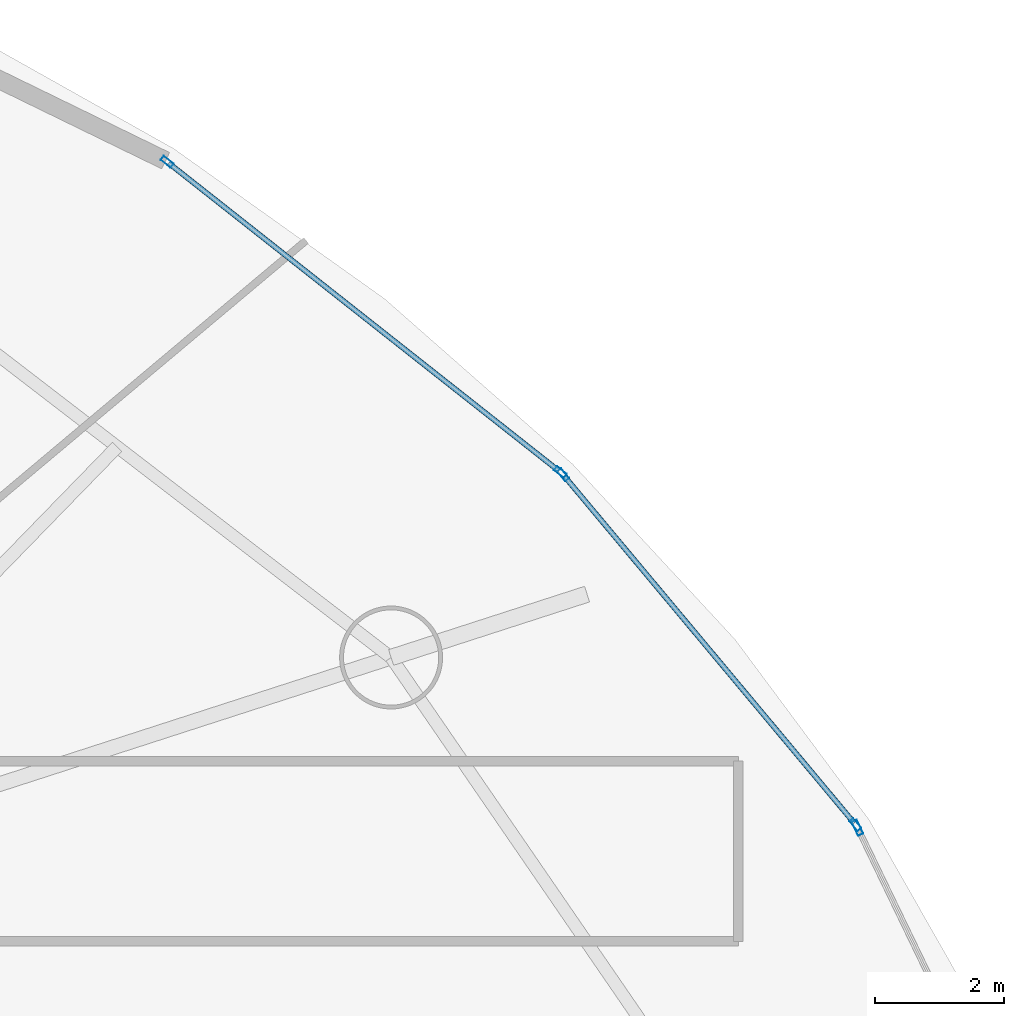
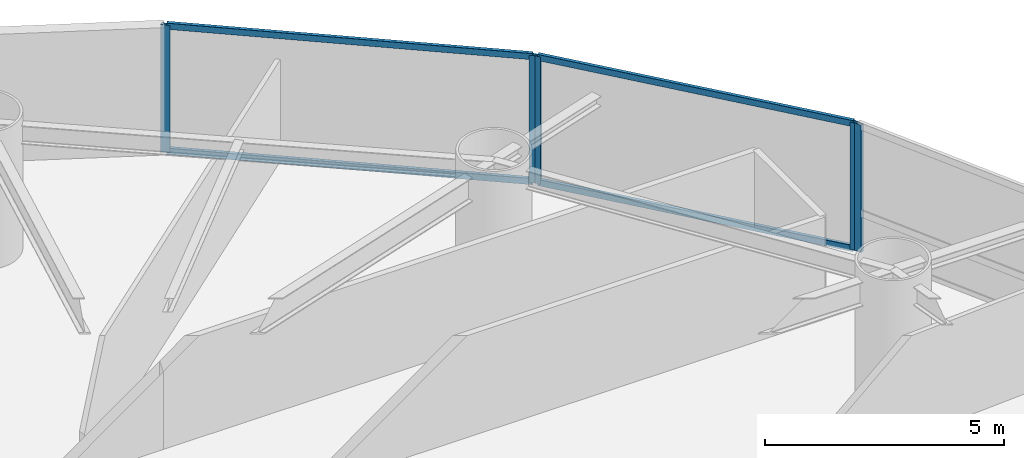
# One storey, part 19 of 25: 9 members, 3 elements without a shape of their own.
"""IFC4 building model written with IfcOpenShell, lengths in metres."""

import ifcopenshell
import ifcopenshell.guid

model = None  # the IFC model being written
_history = None  # IfcOwnerHistory: only IFC2X3 demands one
_inside = {}  # id of a spatial element -> (the spatial element, [elements in it])
_under = {}  # id of a project, library or spatial element -> (it, [spatial elements below it])
_declared = {}  # id of a project -> (the project, [libraries it declares])
_typed = {}  # id of a type object -> (the type object, [elements of that type])
_made_of = {}  # id of a material, layer set ... -> (it, [elements and type objects made of it])


def new_model(schema):
    """Start an empty IFC model of exactly this schema.

    Asked for "IFC4X3", IfcOpenShell would pick the latest addendum, in which some entities
    have other attributes; the version numbers below select the first issue.
    IFC2X3 requires an IfcOwnerHistory on every rooted entity: one is made here for all.
    """
    global model, _history
    if schema == "IFC4X3":
        model = ifcopenshell.file(schema_version=(4, 3, 0, 0))
    else:
        model = ifcopenshell.file(schema=schema)
    _inside.clear()
    _under.clear()
    _declared.clear()
    _typed.clear()
    _made_of.clear()
    _history = None
    if model.schema == "IFC2X3":
        org = make("IfcOrganization", Name="unknown")
        user = make(
            "IfcPersonAndOrganization",
            ThePerson=make("IfcPerson", FamilyName="unknown"),
            TheOrganization=org,
        )
        app = make(
            "IfcApplication",
            ApplicationDeveloper=org,
            Version="unknown",
            ApplicationFullName="unknown",
            ApplicationIdentifier="unknown",
        )
        _history = make(
            "IfcOwnerHistory",
            OwningUser=user,
            OwningApplication=app,
            ChangeAction="ADDED",
            CreationDate=0,
        )
    return model


def make(cls, **values):
    """One entity of the class cls with the attributes given. An attribute that is None is left unset."""
    return model.create_entity(
        cls, **{name: value for name, value in values.items() if value is not None}
    )


def rooted(cls, **values):
    """An entity with a GlobalId (a new one), such as an element, a storey or a relation."""
    return make(cls, GlobalId=ifcopenshell.guid.new(), OwnerHistory=_history, **values)


def si_unit(unit_type, name, prefix=None):
    """IfcSIUnit, for example si_unit("LENGTHUNIT", "METRE", prefix="MILLI")."""
    return make("IfcSIUnit", UnitType=unit_type, Prefix=prefix, Name=name)


def assignment(units):
    """IfcUnitAssignment: the units of a project."""
    return None if units is None else make("IfcUnitAssignment", Units=units)


def point(xyz):
    """IfcCartesianPoint."""
    return None if xyz is None else make("IfcCartesianPoint", Coordinates=xyz)


def direction(xyz):
    """IfcDirection."""
    return None if xyz is None else make("IfcDirection", DirectionRatios=xyz)


def frame(location, z_axis=None, x_axis=None):
    """IfcAxis2Placement3D, a coordinate frame: its origin and axes. An axis left out is left unset."""
    return make(
        "IfcAxis2Placement3D",
        Location=point(location),
        Axis=direction(z_axis),
        RefDirection=direction(x_axis),
    )


def frame_2d(location, x_axis=None):
    """IfcAxis2Placement2D, a coordinate frame in the plane: its origin and x axis."""
    return make(
        "IfcAxis2Placement2D", Location=point(location), RefDirection=direction(x_axis)
    )


def origin():
    """The frame at (0, 0, 0) with its axes left unset."""
    return frame((0.0, 0.0, 0.0))


def origin_2d():
    """The frame at (0, 0) in the plane with its x axis left unset."""
    return frame_2d((0.0, 0.0))


def place(relative_to, where):
    """IfcLocalPlacement: puts the frame where relative to a parent placement (None: the world)."""
    return make(
        "IfcLocalPlacement", PlacementRelTo=relative_to, RelativePlacement=where
    )


def context(
    kind, dimensions, precision=None, world=None, true_north=None, identifier=None
):
    """IfcGeometricRepresentationContext, for example the 3D "Model" context."""
    return make(
        "IfcGeometricRepresentationContext",
        ContextIdentifier=identifier,
        ContextType=kind,
        CoordinateSpaceDimension=dimensions,
        Precision=precision,
        WorldCoordinateSystem=world,
        TrueNorth=true_north,
    )


def subcontext(parent, identifier, kind, view, scale=None):
    """IfcGeometricRepresentationSubContext, for example "Body" below "Model"."""
    return make(
        "IfcGeometricRepresentationSubContext",
        ContextIdentifier=identifier,
        ContextType=kind,
        ParentContext=parent,
        TargetScale=scale,
        TargetView=view,
    )


def project(units=None, contexts=None):
    """IfcProject with its units and contexts."""
    return rooted(
        "IfcProject",
        Name="project",
        RepresentationContexts=contexts,
        UnitsInContext=assignment(units),
    )


def spatial(cls, under=None, at=None, **own):
    """A site, building, storey or space (cls), placed at a placement, below another one or the project."""
    s = rooted(cls, ObjectPlacement=at, **own)
    if under is not None:
        _under.setdefault(under.id(), (under, []))[1].append(s)
    return s


def profile(cls, at=None, kind="AREA", **sizes):
    """A parametric profile (cls). Its sizes go by their IFC names, for example OverallWidth=200.0."""
    return make(cls, ProfileType=kind, Position=at, **sizes)


def hollow_rectangle(**sizes):
    """IfcRectangleHollowProfileDef."""
    return profile("IfcRectangleHollowProfileDef", **sizes)


def extrude(swept, where, along, depth):
    """IfcExtrudedAreaSolid: the profile swept, set in the frame where, extruded along a direction by depth."""
    return make(
        "IfcExtrudedAreaSolid",
        SweptArea=swept,
        Position=where,
        ExtrudedDirection=direction(along),
        Depth=depth,
    )


def shape(context_of_items, identifier, shape_type, items):
    """IfcShapeRepresentation: the items that make up one representation, for example the "Body"."""
    return make(
        "IfcShapeRepresentation",
        ContextOfItems=context_of_items,
        RepresentationIdentifier=identifier,
        RepresentationType=shape_type,
        Items=items,
    )


def material(Name=None, Category=None):
    """IfcMaterial."""
    return make("IfcMaterial", Name=Name, Category=Category)


def layer(
    of_material, thickness, ventilated=None, Name=None, Category=None, Priority=None
):
    """IfcMaterialLayer: one layer of a wall or slab, of a material (None: an air gap)."""
    return make(
        "IfcMaterialLayer",
        Material=of_material,
        LayerThickness=thickness,
        IsVentilated=ventilated,
        Name=Name,
        Category=Category,
        Priority=Priority,
    )


def layer_set(layers, Name=None):
    """IfcMaterialLayerSet."""
    return make("IfcMaterialLayerSet", MaterialLayers=layers, LayerSetName=Name)


def material_profile(
    of_material, cross_section, Name=None, Category=None, Priority=None
):
    """IfcMaterialProfile: a cross section and its material."""
    return make(
        "IfcMaterialProfile",
        Name=Name,
        Material=of_material,
        Profile=cross_section,
        Priority=Priority,
        Category=Category,
    )


def profile_set(profiles, Name=None, composite=None):
    """IfcMaterialProfileSet."""
    return make(
        "IfcMaterialProfileSet",
        Name=Name,
        MaterialProfiles=profiles,
        CompositeProfile=composite,
    )


def made_of(thing, what):
    """Note that an element or type object is made of a material, layer set ...; save() writes the relation."""
    if what is not None:
        _made_of.setdefault(what.id(), (what, []))[1].append(thing)
    return thing


def type_object(cls, material=None, **own):
    """A type object (cls), such as IfcWallType, which elements share."""
    return made_of(rooted(cls, **own), material)


def element(
    cls,
    number,
    at=None,
    inside=None,
    cuts=None,
    type_object=None,
    material=None,
    context=None,
    identifier="Body",
    shape_type=None,
    held_by="IfcProductDefinitionShape",
    body=None,
    shapes=None,
    **own,
):
    """One element of the class cls, such as IfcWall. Its Tag is "e" and its number.

    at: its placement. inside: the storey or other place that contains it. cuts: it is an
    opening in that element (IfcRelVoidsElement). A single representation is given by context,
    identifier, shape_type and body (its items); several are given by shapes. held_by: the class
    of the entity that holds the representations. save() writes the other relations.
    """
    e = rooted(cls, Tag="e%d" % number, ObjectPlacement=at, **own)
    if body is not None:
        shapes = [shape(context, identifier, shape_type, body)]
    if shapes is not None:
        e.Representation = make(held_by, Representations=shapes)
    if inside is not None:
        _inside.setdefault(inside.id(), (inside, []))[1].append(e)
    if cuts is not None:
        rooted(
            "IfcRelVoidsElement", RelatingBuildingElement=cuts, RelatedOpeningElement=e
        )
    if type_object is not None:
        _typed.setdefault(type_object.id(), (type_object, []))[1].append(e)
    return made_of(e, material)


def aggregate(whole, parts):
    """IfcRelAggregates: a whole, such as a stair, and the parts it consists of."""
    return rooted("IfcRelAggregates", RelatingObject=whole, RelatedObjects=parts)


def save(model, path):
    """Write the relations noted so far, then the file.

    IfcRelAggregates (storeys below a building ...), IfcRelContainedInSpatialStructure (elements
    in a storey), IfcRelDefinesByType, IfcRelAssociatesMaterial and IfcRelDeclares: one each for
    every whole, place, type object, material and project.
    """
    for whole, parts in _under.values():
        aggregate(whole, parts)
    for where, things in _inside.values():
        rooted(
            "IfcRelContainedInSpatialStructure",
            RelatedElements=things,
            RelatingStructure=where,
        )
    for kind, things in _typed.values():
        rooted("IfcRelDefinesByType", RelatedObjects=things, RelatingType=kind)
    for what, things in _made_of.values():
        rooted("IfcRelAssociatesMaterial", RelatedObjects=things, RelatingMaterial=what)
    for by, libraries in _declared.values():
        rooted("IfcRelDeclares", RelatingContext=by, RelatedDefinitions=libraries)
    model.write(path)


model = new_model("IFC4")

# Units and contexts
model_context = context("Model", 3, precision=1e-05, world=origin(), true_north=direction((0.0, 1.0)))
body_context = subcontext(model_context, "Body", "Model", "MODEL_VIEW")
ifc_project = project(units=[si_unit("LENGTHUNIT", "METRE"), si_unit("AREAUNIT", "SQUARE_METRE"), si_unit("VOLUMEUNIT", "CUBIC_METRE"), si_unit("PLANEANGLEUNIT", "RADIAN"), si_unit("MASSUNIT", "GRAM", prefix="KILO")], contexts=[model_context])

# Site, building, storey
site_placement = place(None, origin())
site = spatial("IfcSite", under=ifc_project, at=site_placement, CompositionType="ELEMENT")
building_placement = place(site_placement, origin())
building = spatial("IfcBuilding", under=site, at=building_placement, Name="Bramvorn Convention Spire", CompositionType="ELEMENT")
storey_placement = place(building_placement, frame((0.0, 0.0, 55.39990234375)))
storey = spatial("IfcBuildingStorey", under=building, at=storey_placement, Name="L11", CompositionType="ELEMENT", Elevation=55.39990234375)

# Curtain wall, members
ifc_material_1 = material(Name="Anodised Bronze Unitised Curtain Wall", Category="aluminium")
ifc_layer_1 = layer(ifc_material_1, 0.179931640625)
ifc_layer_set_1 = layer_set([ifc_layer_1], Name="Anodised Bronze Unitised Curtain Wall - CW-HTL-FRIT")
curtain_wall_type_1 = type_object("IfcCurtainWallType", Name="CW-HTL-FRIT", PredefinedType="USERDEFINED", material=ifc_layer_set_1)
curtain_wall_1_placement = place(storey_placement, origin())
curtain_wall_1 = element("IfcCurtainWall", 1, at=curtain_wall_1_placement, inside=storey, type_object=curtain_wall_type_1, Name="L11 fritted glass curtain wall 03", ObjectType="UNITISED CURTAIN WALL", PredefinedType="USERDEFINED")
ifc_material_2 = material(Name="Anodised Bronze Aluminium 6063-T6", Category="aluminium")
ifc_material_profile_1 = material_profile(ifc_material_2, hollow_rectangle(XDim=0.080078125, YDim=0.199951171875, WallThickness=0.00390625, InnerFilletRadius=0.0009765625, OuterFilletRadius=0.00390625, at=origin_2d()))
ifc_profile_set_1 = profile_set([ifc_material_profile_1], Name="Anodised Bronze Aluminium 6063-T6 - CWM80X200")
member_type_1 = type_object("IfcMemberType", Name="CW-MUL-180", PredefinedType="MULLION", material=ifc_profile_set_1)
member_1_placement = place(storey_placement, frame((62.779296875, 39.799072265625, 0.0), z_axis=(0.0, 0.0, 1.0), x_axis=(0.767313949656, 0.641271629393, 0.0)))
member_1 = element("IfcMember", 2, at=member_1_placement, type_object=member_type_1, Name="CW2 mullion 1", PredefinedType="MULLION", context=body_context, shape_type="SweptSolid", body=[
    extrude(hollow_rectangle(XDim=0.080078125, YDim=0.199951171875, WallThickness=0.00390625, InnerFilletRadius=0.0009765625, OuterFilletRadius=0.00390625, at=origin_2d()), origin(), (0.0, 0.0, 1.0), 3.25),
])
member_2_placement = place(storey_placement, frame((67.3212890625, 34.364501953125, 0.0), z_axis=(0.0, 0.0, 1.0), x_axis=(0.767313949656, 0.641271629393, 0.0)))
member_2 = element("IfcMember", 3, at=member_2_placement, type_object=member_type_1, Name="CW2 mullion 2", PredefinedType="MULLION", context=body_context, shape_type="SweptSolid", body=[
    extrude(hollow_rectangle(XDim=0.080078125, YDim=0.199951171875, WallThickness=0.00390625, InnerFilletRadius=0.0009765625, OuterFilletRadius=0.00390625, at=origin_2d()), origin(), (0.0, 0.0, 1.0), 3.25),
])

curtain_wall_2_placement = place(storey_placement, origin())
curtain_wall_2 = element("IfcCurtainWall", 4, at=curtain_wall_2_placement, inside=storey, type_object=curtain_wall_type_1, Name="L11 fritted glass curtain wall 04", ObjectType="UNITISED CURTAIN WALL", PredefinedType="USERDEFINED")
member_3_placement = place(storey_placement, frame((56.624267578125, 44.662109375, 0.0), z_axis=(0.0, 0.0, 1.0), x_axis=(0.619329716553, 0.785131009574, 0.0)))
member_3 = element("IfcMember", 5, at=member_3_placement, type_object=member_type_1, Name="CW2 mullion 1", PredefinedType="MULLION", context=body_context, shape_type="SweptSolid", body=[
    extrude(hollow_rectangle(XDim=0.080078125, YDim=0.199951171875, WallThickness=0.00390625, InnerFilletRadius=0.0009765625, OuterFilletRadius=0.00390625, at=origin_2d()), origin(), (0.0, 0.0, 1.0), 3.25),
])
member_4_placement = place(storey_placement, frame((62.736572265625, 39.8408203125, 0.0), z_axis=(0.0, 0.0, 1.0), x_axis=(0.619329716553, 0.785131009574, 0.0)))
member_4 = element("IfcMember", 6, at=member_4_placement, type_object=member_type_1, Name="CW2 mullion 2", PredefinedType="MULLION", context=body_context, shape_type="SweptSolid", body=[
    extrude(hollow_rectangle(XDim=0.080078125, YDim=0.199951171875, WallThickness=0.00390625, InnerFilletRadius=0.0009765625, OuterFilletRadius=0.00390625, at=origin_2d()), origin(), (0.0, 0.0, 1.0), 3.25),
])

# Curtain wall, member
ifc_layer_2 = layer(ifc_material_1, 0.219970703125)
ifc_layer_set_2 = layer_set([ifc_layer_2], Name="Anodised Bronze Unitised Curtain Wall - CW-SKYGARDEN")
curtain_wall_type_2 = type_object("IfcCurtainWallType", Name="CW-SKYGARDEN", PredefinedType="USERDEFINED", material=ifc_layer_set_2)
curtain_wall_3_placement = place(storey_placement, origin())
curtain_wall_3 = element("IfcCurtainWall", 7, at=curtain_wall_3_placement, inside=storey, type_object=curtain_wall_type_2, Name="L11 Sky Garden glazed facade 02", ObjectType="WINTER GARDEN GLAZING", PredefinedType="USERDEFINED")
ifc_material_profile_2 = material_profile(ifc_material_2, hollow_rectangle(XDim=0.090087890625, YDim=0.239990234375, WallThickness=0.00439453125, InnerFilletRadius=0.0009765625, OuterFilletRadius=0.00439453125, at=origin_2d()))
ifc_profile_set_2 = profile_set([ifc_material_profile_2], Name="Anodised Bronze Aluminium 6063-T6 - CWM90X240")
member_type_2 = type_object("IfcMemberType", Name="CW-MUL-220", PredefinedType="MULLION", material=ifc_profile_set_2)
member_5_placement = place(storey_placement, frame((67.353759765625, 34.314453125, 0.0), z_axis=(0.0, 0.0, 1.0), x_axis=(0.900535770947, 0.434781928379, 0.0)))
member_5 = element("IfcMember", 8, at=member_5_placement, type_object=member_type_2, Name="CW4 mullion 1", PredefinedType="MULLION", context=body_context, shape_type="SweptSolid", body=[
    extrude(hollow_rectangle(XDim=0.090087890625, YDim=0.239990234375, WallThickness=0.00439453125, InnerFilletRadius=0.0009765625, OuterFilletRadius=0.00439453125, at=origin_2d()), origin(), (0.0, 0.0, 1.0), 3.25),
])
aggregate(curtain_wall_3, [member_5])

# Member
ifc_material_profile_3 = material_profile(ifc_material_2, hollow_rectangle(XDim=0.080078125, YDim=0.159912109375, WallThickness=0.00390625, InnerFilletRadius=0.0009765625, OuterFilletRadius=0.00390625, at=origin_2d()))
ifc_profile_set_3 = profile_set([ifc_material_profile_3], Name="Anodised Bronze Aluminium 6063-T6 - CWT80X160")
member_type_3 = type_object("IfcMemberType", Name="CW-TRN-150", PredefinedType="USERDEFINED", material=ifc_profile_set_3)
member_6_placement = place(storey_placement, frame((62.798583984375, 39.776123046875, 0.030029296875), z_axis=(0.641264312655, -0.767320064455, 0.0), x_axis=(0.767320064455, 0.641264312655, 0.0)))
member_6 = element("IfcMember", 9, at=member_6_placement, type_object=member_type_3, Name="CW2 transom 1.1", ObjectType="TRANSOM", PredefinedType="USERDEFINED", context=body_context, shape_type="SweptSolid", body=[
    extrude(hollow_rectangle(XDim=0.080078125, YDim=0.159912109375, WallThickness=0.00390625, InnerFilletRadius=0.0009765625, OuterFilletRadius=0.00390625, at=origin_2d()), origin(), (0.0, 0.0, 1.0), 7.022705078125),
])

member_7_placement = place(storey_placement, frame((62.798583984375, 39.776123046875, 3.22021484375), z_axis=(0.641264312655, -0.767320064455, 0.0), x_axis=(0.767320064455, 0.641264312655, 0.0)))
member_7 = element("IfcMember", 10, at=member_7_placement, type_object=member_type_3, Name="CW2 transom 1.2", ObjectType="TRANSOM", PredefinedType="USERDEFINED", context=body_context, shape_type="SweptSolid", body=[
    extrude(hollow_rectangle(XDim=0.080078125, YDim=0.159912109375, WallThickness=0.00390625, InnerFilletRadius=0.0009765625, OuterFilletRadius=0.00390625, at=origin_2d()), origin(), (0.0, 0.0, 1.0), 7.022705078125),
])

aggregate(curtain_wall_1, [member_1, member_2, member_6, member_7])

member_8_placement = place(storey_placement, frame((56.64794921875, 44.6435546875, 0.030029296875), z_axis=(0.785130257055, -0.619330670528, 0.0), x_axis=(0.619330670528, 0.785130257055, 0.0)))
member_8 = element("IfcMember", 11, at=member_8_placement, type_object=member_type_3, Name="CW2 transom 1.1", ObjectType="TRANSOM", PredefinedType="USERDEFINED", context=body_context, shape_type="SweptSolid", body=[
    extrude(hollow_rectangle(XDim=0.080078125, YDim=0.159912109375, WallThickness=0.00390625, InnerFilletRadius=0.0009765625, OuterFilletRadius=0.00390625, at=origin_2d()), origin(), (0.0, 0.0, 1.0), 7.724853515625),
])

member_9_placement = place(storey_placement, frame((56.64794921875, 44.6435546875, 3.22021484375), z_axis=(0.785130257055, -0.619330670528, 0.0), x_axis=(0.619330670528, 0.785130257055, 0.0)))
member_9 = element("IfcMember", 12, at=member_9_placement, type_object=member_type_3, Name="CW2 transom 1.2", ObjectType="TRANSOM", PredefinedType="USERDEFINED", context=body_context, shape_type="SweptSolid", body=[
    extrude(hollow_rectangle(XDim=0.080078125, YDim=0.159912109375, WallThickness=0.00390625, InnerFilletRadius=0.0009765625, OuterFilletRadius=0.00390625, at=origin_2d()), origin(), (0.0, 0.0, 1.0), 7.724853515625),
])

aggregate(curtain_wall_2, [member_3, member_4, member_8, member_9])

save(model, "model.ifc")
